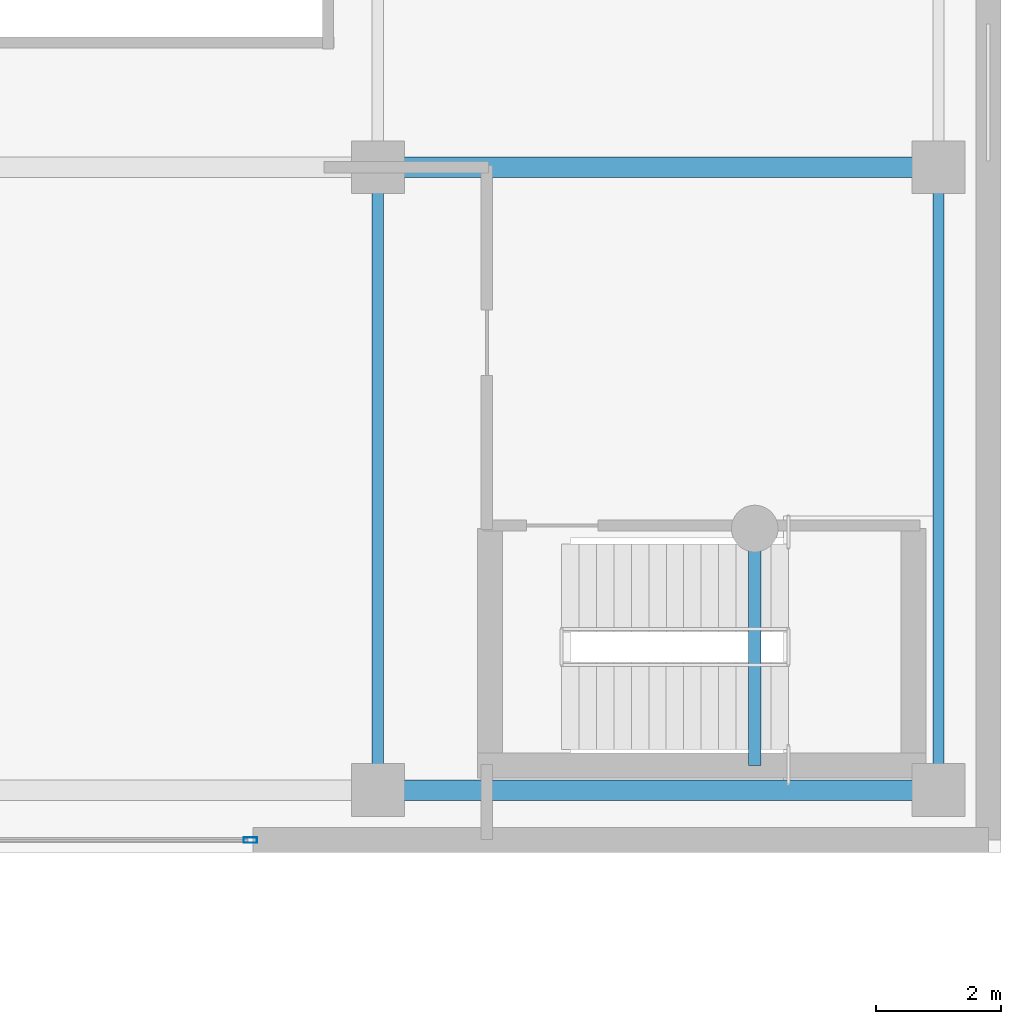
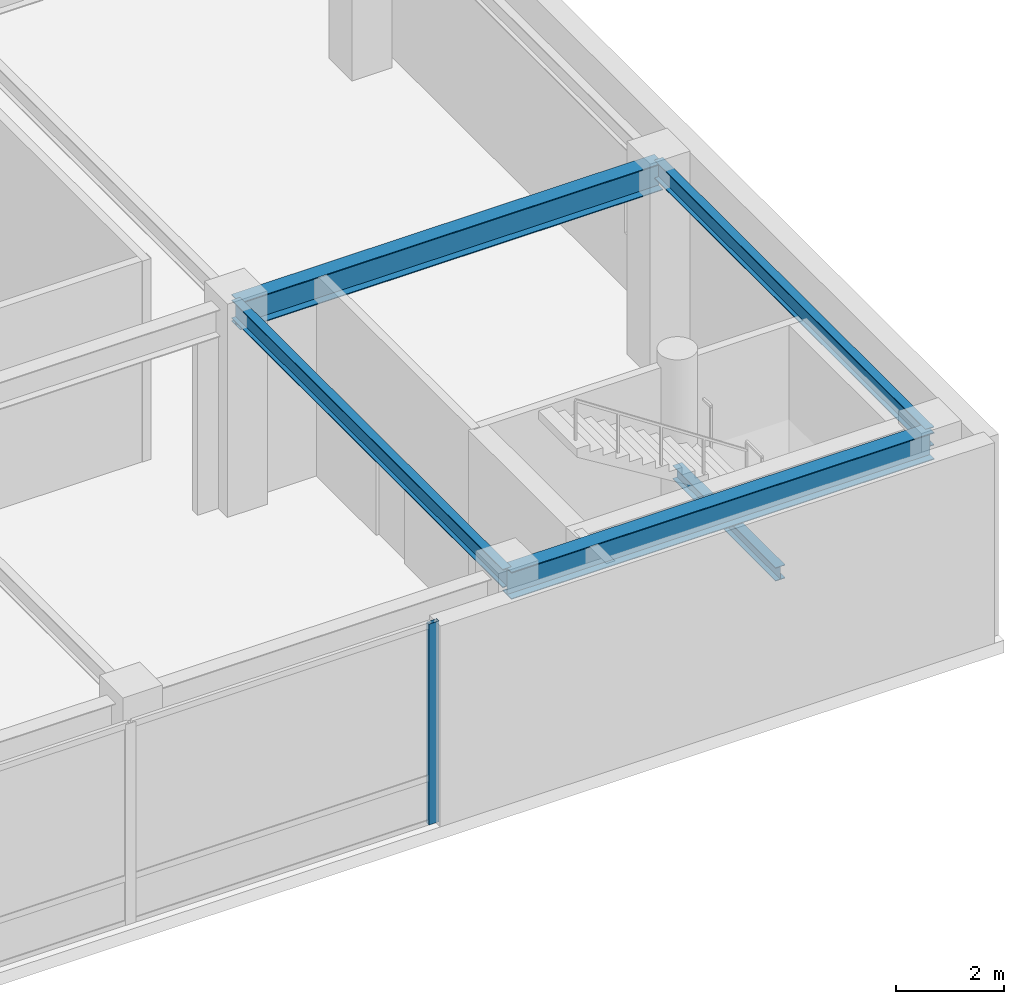
# One storey, part 23 of 40: 5 beams, 1 member, 1 element without a shape of its own.
"""IFC4 building model written with IfcOpenShell, lengths in metres."""

import ifcopenshell
import ifcopenshell.guid

model = None  # the IFC model being written
_history = None  # IfcOwnerHistory: only IFC2X3 demands one
_inside = {}  # id of a spatial element -> (the spatial element, [elements in it])
_under = {}  # id of a project, library or spatial element -> (it, [spatial elements below it])
_declared = {}  # id of a project -> (the project, [libraries it declares])
_typed = {}  # id of a type object -> (the type object, [elements of that type])
_made_of = {}  # id of a material, layer set ... -> (it, [elements and type objects made of it])


def new_model(schema):
    """Start an empty IFC model of exactly this schema.

    Asked for "IFC4X3", IfcOpenShell would pick the latest addendum, in which some entities
    have other attributes; the version numbers below select the first issue.
    IFC2X3 requires an IfcOwnerHistory on every rooted entity: one is made here for all.
    """
    global model, _history
    if schema == "IFC4X3":
        model = ifcopenshell.file(schema_version=(4, 3, 0, 0))
    else:
        model = ifcopenshell.file(schema=schema)
    _inside.clear()
    _under.clear()
    _declared.clear()
    _typed.clear()
    _made_of.clear()
    _history = None
    if model.schema == "IFC2X3":
        org = make("IfcOrganization", Name="unknown")
        user = make(
            "IfcPersonAndOrganization",
            ThePerson=make("IfcPerson", FamilyName="unknown"),
            TheOrganization=org,
        )
        app = make(
            "IfcApplication",
            ApplicationDeveloper=org,
            Version="unknown",
            ApplicationFullName="unknown",
            ApplicationIdentifier="unknown",
        )
        _history = make(
            "IfcOwnerHistory",
            OwningUser=user,
            OwningApplication=app,
            ChangeAction="ADDED",
            CreationDate=0,
        )
    return model


def make(cls, **values):
    """One entity of the class cls with the attributes given. An attribute that is None is left unset."""
    return model.create_entity(
        cls, **{name: value for name, value in values.items() if value is not None}
    )


def rooted(cls, **values):
    """An entity with a GlobalId (a new one), such as an element, a storey or a relation."""
    return make(cls, GlobalId=ifcopenshell.guid.new(), OwnerHistory=_history, **values)


def si_unit(unit_type, name, prefix=None):
    """IfcSIUnit, for example si_unit("LENGTHUNIT", "METRE", prefix="MILLI")."""
    return make("IfcSIUnit", UnitType=unit_type, Prefix=prefix, Name=name)


def assignment(units):
    """IfcUnitAssignment: the units of a project."""
    return None if units is None else make("IfcUnitAssignment", Units=units)


def point(xyz):
    """IfcCartesianPoint."""
    return None if xyz is None else make("IfcCartesianPoint", Coordinates=xyz)


def direction(xyz):
    """IfcDirection."""
    return None if xyz is None else make("IfcDirection", DirectionRatios=xyz)


def frame(location, z_axis=None, x_axis=None):
    """IfcAxis2Placement3D, a coordinate frame: its origin and axes. An axis left out is left unset."""
    return make(
        "IfcAxis2Placement3D",
        Location=point(location),
        Axis=direction(z_axis),
        RefDirection=direction(x_axis),
    )


def frame_2d(location, x_axis=None):
    """IfcAxis2Placement2D, a coordinate frame in the plane: its origin and x axis."""
    return make(
        "IfcAxis2Placement2D", Location=point(location), RefDirection=direction(x_axis)
    )


def origin():
    """The frame at (0, 0, 0) with its axes left unset."""
    return frame((0.0, 0.0, 0.0))


def origin_2d():
    """The frame at (0, 0) in the plane with its x axis left unset."""
    return frame_2d((0.0, 0.0))


def place(relative_to, where):
    """IfcLocalPlacement: puts the frame where relative to a parent placement (None: the world)."""
    return make(
        "IfcLocalPlacement", PlacementRelTo=relative_to, RelativePlacement=where
    )


def context(
    kind, dimensions, precision=None, world=None, true_north=None, identifier=None
):
    """IfcGeometricRepresentationContext, for example the 3D "Model" context."""
    return make(
        "IfcGeometricRepresentationContext",
        ContextIdentifier=identifier,
        ContextType=kind,
        CoordinateSpaceDimension=dimensions,
        Precision=precision,
        WorldCoordinateSystem=world,
        TrueNorth=true_north,
    )


def subcontext(parent, identifier, kind, view, scale=None):
    """IfcGeometricRepresentationSubContext, for example "Body" below "Model"."""
    return make(
        "IfcGeometricRepresentationSubContext",
        ContextIdentifier=identifier,
        ContextType=kind,
        ParentContext=parent,
        TargetScale=scale,
        TargetView=view,
    )


def project(units=None, contexts=None):
    """IfcProject with its units and contexts."""
    return rooted(
        "IfcProject",
        Name="project",
        RepresentationContexts=contexts,
        UnitsInContext=assignment(units),
    )


def spatial(cls, under=None, at=None, **own):
    """A site, building, storey or space (cls), placed at a placement, below another one or the project."""
    s = rooted(cls, ObjectPlacement=at, **own)
    if under is not None:
        _under.setdefault(under.id(), (under, []))[1].append(s)
    return s


def profile(cls, at=None, kind="AREA", **sizes):
    """A parametric profile (cls). Its sizes go by their IFC names, for example OverallWidth=200.0."""
    return make(cls, ProfileType=kind, Position=at, **sizes)


def hollow_rectangle(**sizes):
    """IfcRectangleHollowProfileDef."""
    return profile("IfcRectangleHollowProfileDef", **sizes)


def i_section(**sizes):
    """IfcIShapeProfileDef."""
    return profile("IfcIShapeProfileDef", **sizes)


def extrude(swept, where, along, depth):
    """IfcExtrudedAreaSolid: the profile swept, set in the frame where, extruded along a direction by depth."""
    return make(
        "IfcExtrudedAreaSolid",
        SweptArea=swept,
        Position=where,
        ExtrudedDirection=direction(along),
        Depth=depth,
    )


def shape(context_of_items, identifier, shape_type, items):
    """IfcShapeRepresentation: the items that make up one representation, for example the "Body"."""
    return make(
        "IfcShapeRepresentation",
        ContextOfItems=context_of_items,
        RepresentationIdentifier=identifier,
        RepresentationType=shape_type,
        Items=items,
    )


def material(Name=None, Category=None):
    """IfcMaterial."""
    return make("IfcMaterial", Name=Name, Category=Category)


def layer(
    of_material, thickness, ventilated=None, Name=None, Category=None, Priority=None
):
    """IfcMaterialLayer: one layer of a wall or slab, of a material (None: an air gap)."""
    return make(
        "IfcMaterialLayer",
        Material=of_material,
        LayerThickness=thickness,
        IsVentilated=ventilated,
        Name=Name,
        Category=Category,
        Priority=Priority,
    )


def layer_set(layers, Name=None):
    """IfcMaterialLayerSet."""
    return make("IfcMaterialLayerSet", MaterialLayers=layers, LayerSetName=Name)


def material_profile(
    of_material, cross_section, Name=None, Category=None, Priority=None
):
    """IfcMaterialProfile: a cross section and its material."""
    return make(
        "IfcMaterialProfile",
        Name=Name,
        Material=of_material,
        Profile=cross_section,
        Priority=Priority,
        Category=Category,
    )


def profile_set(profiles, Name=None, composite=None):
    """IfcMaterialProfileSet."""
    return make(
        "IfcMaterialProfileSet",
        Name=Name,
        MaterialProfiles=profiles,
        CompositeProfile=composite,
    )


def made_of(thing, what):
    """Note that an element or type object is made of a material, layer set ...; save() writes the relation."""
    if what is not None:
        _made_of.setdefault(what.id(), (what, []))[1].append(thing)
    return thing


def type_object(cls, material=None, **own):
    """A type object (cls), such as IfcWallType, which elements share."""
    return made_of(rooted(cls, **own), material)


def element(
    cls,
    number,
    at=None,
    inside=None,
    cuts=None,
    type_object=None,
    material=None,
    context=None,
    identifier="Body",
    shape_type=None,
    held_by="IfcProductDefinitionShape",
    body=None,
    shapes=None,
    **own,
):
    """One element of the class cls, such as IfcWall. Its Tag is "e" and its number.

    at: its placement. inside: the storey or other place that contains it. cuts: it is an
    opening in that element (IfcRelVoidsElement). A single representation is given by context,
    identifier, shape_type and body (its items); several are given by shapes. held_by: the class
    of the entity that holds the representations. save() writes the other relations.
    """
    e = rooted(cls, Tag="e%d" % number, ObjectPlacement=at, **own)
    if body is not None:
        shapes = [shape(context, identifier, shape_type, body)]
    if shapes is not None:
        e.Representation = make(held_by, Representations=shapes)
    if inside is not None:
        _inside.setdefault(inside.id(), (inside, []))[1].append(e)
    if cuts is not None:
        rooted(
            "IfcRelVoidsElement", RelatingBuildingElement=cuts, RelatedOpeningElement=e
        )
    if type_object is not None:
        _typed.setdefault(type_object.id(), (type_object, []))[1].append(e)
    return made_of(e, material)


def aggregate(whole, parts):
    """IfcRelAggregates: a whole, such as a stair, and the parts it consists of."""
    return rooted("IfcRelAggregates", RelatingObject=whole, RelatedObjects=parts)


def save(model, path):
    """Write the relations noted so far, then the file.

    IfcRelAggregates (storeys below a building ...), IfcRelContainedInSpatialStructure (elements
    in a storey), IfcRelDefinesByType, IfcRelAssociatesMaterial and IfcRelDeclares: one each for
    every whole, place, type object, material and project.
    """
    for whole, parts in _under.values():
        aggregate(whole, parts)
    for where, things in _inside.values():
        rooted(
            "IfcRelContainedInSpatialStructure",
            RelatedElements=things,
            RelatingStructure=where,
        )
    for kind, things in _typed.values():
        rooted("IfcRelDefinesByType", RelatedObjects=things, RelatingType=kind)
    for what, things in _made_of.values():
        rooted("IfcRelAssociatesMaterial", RelatedObjects=things, RelatingMaterial=what)
    for by, libraries in _declared.values():
        rooted("IfcRelDeclares", RelatingContext=by, RelatedDefinitions=libraries)
    model.write(path)


model = new_model("IFC4")

# Units and contexts
model_context = context("Model", 3, precision=1e-05, world=origin(), true_north=direction((0.0, 1.0)))
body_context = subcontext(model_context, "Body", "Model", "MODEL_VIEW")
ifc_project = project(units=[si_unit("LENGTHUNIT", "METRE"), si_unit("AREAUNIT", "SQUARE_METRE"), si_unit("VOLUMEUNIT", "CUBIC_METRE"), si_unit("PLANEANGLEUNIT", "RADIAN"), si_unit("MASSUNIT", "GRAM", prefix="KILO")], contexts=[model_context])

# Site, building, storey
site_placement = place(None, origin())
site = spatial("IfcSite", under=ifc_project, at=site_placement, CompositionType="ELEMENT")
building_placement = place(site_placement, origin())
building = spatial("IfcBuilding", under=site, at=building_placement, Name="Kazevale Care Tower and Concert Hall", CompositionType="ELEMENT")
storey_placement = place(building_placement, frame((0.0, 0.0, 4.800048828125)))
storey = spatial("IfcBuildingStorey", under=building, at=storey_placement, Name="L01", CompositionType="ELEMENT", Elevation=4.800048828125)

# Curtain wall, member
ifc_material_1 = material(Name="Aluminium 6063-T6 and Low-E Glass", Category="aluminium")
ifc_layer = layer(ifc_material_1, 0.179931640625)
ifc_layer_set = layer_set([ifc_layer], Name="Aluminium 6063-T6 and Low-E Glass")
curtain_wall_type = type_object("IfcCurtainWallType", Name="Concert Hall Foyer Storefront Curtain Wall CW-6", PredefinedType="NOTDEFINED", material=ifc_layer_set)
curtain_wall_placement = place(storey_placement, origin())
curtain_wall = element("IfcCurtainWall", 1, at=curtain_wall_placement, inside=storey, type_object=curtain_wall_type, Name="cw:L01:hall:S3", PredefinedType="NOTDEFINED")
ifc_material_2 = material(Name="Aluminium 6063-T6", Category="aluminium")
ifc_material_profile_1 = material_profile(ifc_material_2, hollow_rectangle(XDim=0.090087890625, YDim=0.219970703125, WallThickness=0.0048828125, at=origin_2d()), Name="ALU90x220x5")
ifc_profile_set_1 = profile_set([ifc_material_profile_1], Name="Aluminium 6063-T6")
member_type = type_object("IfcMemberType", Name="CW-6 Mullion ALU90x220x5", PredefinedType="MULLION", material=ifc_profile_set_1)
member_placement = place(storey_placement, frame((133.955078125, 14.199951171875, 0.0), z_axis=(0.0, 0.0, 1.0), x_axis=(0.0, 1.0, 0.0)))
member = element("IfcMember", 2, at=member_placement, type_object=member_type, Name="CW-6 mullion 3", PredefinedType="MULLION", context=body_context, shape_type="SweptSolid", body=[
    extrude(hollow_rectangle(XDim=0.090087890625, YDim=0.219970703125, WallThickness=0.0048828125, at=origin_2d()), origin(), (0.0, 0.0, 1.0), 4.52001953125),
])
aggregate(curtain_wall, [member])

# Beams
ifc_material_3 = material(Name="Steel ASTM A572 Gr 50", Category="steel")
ifc_material_profile_2 = material_profile(ifc_material_3, i_section(OverallWidth=0.323974609375, OverallDepth=0.611083984375, WebThickness=0.0126953125, FlangeThickness=0.01904296875, at=origin_2d()), Name="W610x155")
ifc_profile_set_2 = profile_set([ifc_material_profile_2], Name="Steel ASTM A572 Gr 50")
beam_type_1 = type_object("IfcBeamType", Name="Concert Hall Frame Girder W610x155", PredefinedType="BEAM", material=ifc_profile_set_2)
for number, where, z_axis, x_axis, name in (
    (3, (136.0, 15.0, 4.21435546875), (1.0, 0.0, 0.0), (0.0, 1.0, 0.0), "beam:L01:hx:136_15"),
    (4, (136.0, 25.0, 4.21435546875), (1.0, 0.0, 0.0), (0.0, 1.0, 0.0), "beam:L01:hx:136_25"),
):
    element("IfcBeam", number, at=place(storey_placement, frame(where, z_axis=z_axis, x_axis=x_axis)), inside=storey, type_object=beam_type_1, Name=name, PredefinedType="BEAM", context=body_context, shape_type="SweptSolid", body=[
        extrude(i_section(OverallWidth=0.323974609375, OverallDepth=0.611083984375, WebThickness=0.0126953125, FlangeThickness=0.01904296875, at=origin_2d()), origin(), (0.0, 0.0, 1.0), 9.0),
    ])
ifc_material_profile_3 = material_profile(ifc_material_3, i_section(OverallWidth=0.180908203125, OverallDepth=0.4169921875, WebThickness=0.010986328125, FlangeThickness=0.018310546875, at=origin_2d()), Name="W410x85")
ifc_profile_set_3 = profile_set([ifc_material_profile_3], Name="Steel ASTM A572 Gr 50")
beam_type_2 = type_object("IfcBeamType", Name="Concert Hall Secondary Beam W410x85", PredefinedType="BEAM", material=ifc_profile_set_3)
for number, where, z_axis, x_axis, name in (
    (5, (136.0, 15.0, 4.3115234375), (0.0, 1.0, 0.0), (-1.0, 0.0, 0.0), "beam:L01:hy:136_15"),
    (6, (145.0, 15.0, 4.3115234375), (0.0, 1.0, 0.0), (-1.0, 0.0, 0.0), "beam:L01:hy:145_15"),
):
    element("IfcBeam", number, at=place(storey_placement, frame(where, z_axis=z_axis, x_axis=x_axis)), inside=storey, type_object=beam_type_2, Name=name, PredefinedType="BEAM", context=body_context, shape_type="SweptSolid", body=[
        extrude(i_section(OverallWidth=0.180908203125, OverallDepth=0.4169921875, WebThickness=0.010986328125, FlangeThickness=0.018310546875, at=origin_2d()), origin(), (0.0, 0.0, 1.0), 10.0),
    ])
ifc_material_profile_4 = material_profile(ifc_material_3, i_section(OverallWidth=0.202880859375, OverallDepth=0.302978515625, WebThickness=0.007568359375, FlangeThickness=0.01318359375, at=origin_2d()), Name="W310x60")
ifc_profile_set_4 = profile_set([ifc_material_profile_4], Name="Steel ASTM A572 Gr 50")
beam_type_3 = type_object("IfcBeamType", Name="Stair & Balcony Trimmer W310x60", PredefinedType="BEAM", material=ifc_profile_set_4)
beam_placement = place(storey_placement, frame((142.050048828125, 15.39990234375, 2.04833984375), z_axis=(0.0, 1.0, 0.0), x_axis=(-1.0, 0.0, 0.0)))
element("IfcBeam", 7, at=beam_placement, inside=storey, type_object=beam_type_3, Name="beam:L01:ST5:trim:1", PredefinedType="BEAM", context=body_context, shape_type="SweptSolid", body=[
    extrude(i_section(OverallWidth=0.202880859375, OverallDepth=0.302978515625, WebThickness=0.007568359375, FlangeThickness=0.01318359375, at=origin_2d()), origin(), (0.0, 0.0, 1.0), 3.800048828125),
])

save(model, "model.ifc")
